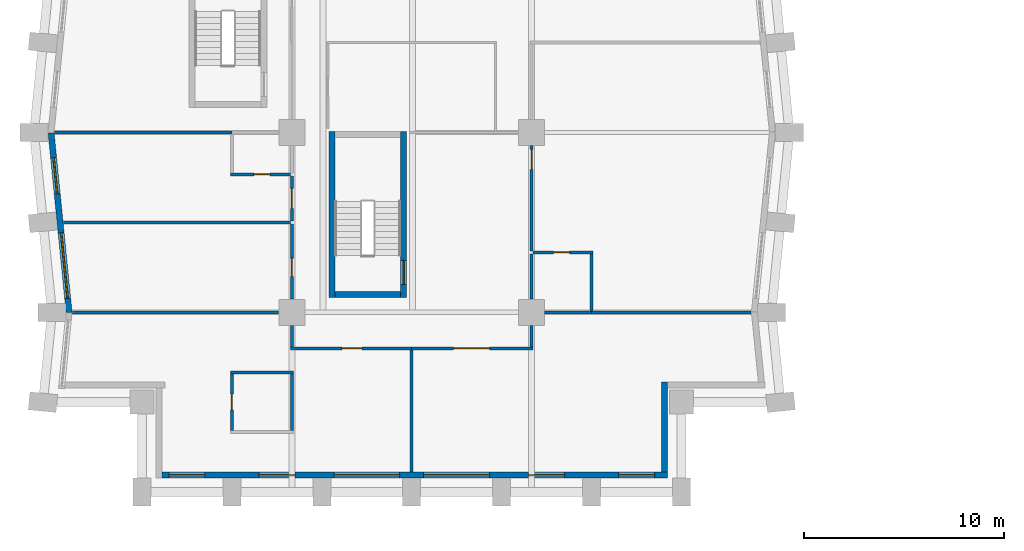
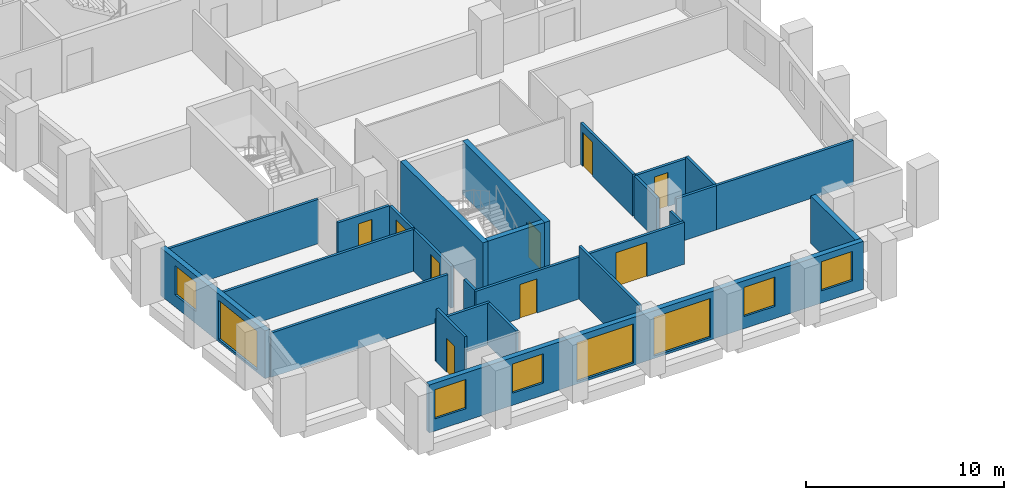
# One storey, part 3 of 13: 26 walls, 9 doors, 8 windows, 17 openings.
"""IFC4 building model written with IfcOpenShell, lengths in metres."""

from ifc_helpers import new_model, si_unit, direction, frame, frame_2d, origin, place, context, subcontext, project, spatial, rectangle, extrude, material, layer, layer_set, type_object, element, fill, save


model = new_model("IFC4")

# Units and contexts
model_context = context("Model", 3, precision=1e-05, world=origin(), true_north=direction((0.0, 1.0)))
body_context = subcontext(model_context, "Body", "Model", "MODEL_VIEW")
ifc_project = project(units=[si_unit("LENGTHUNIT", "METRE"), si_unit("AREAUNIT", "SQUARE_METRE"), si_unit("VOLUMEUNIT", "CUBIC_METRE"), si_unit("PLANEANGLEUNIT", "RADIAN"), si_unit("MASSUNIT", "GRAM", prefix="KILO")], contexts=[model_context])

# Site, building, storey
site_placement = place(None, origin())
site = spatial("IfcSite", under=ifc_project, at=site_placement, CompositionType="ELEMENT")
building_placement = place(site_placement, origin())
building = spatial("IfcBuilding", under=site, at=building_placement, Name="Brondeck Convention Tower", CompositionType="ELEMENT")
storey_placement = place(building_placement, frame((0.0, 0.0, 73.5)))
storey = spatial("IfcBuildingStorey", under=building, at=storey_placement, Name="L16", CompositionType="ELEMENT", Elevation=73.5)

# Wall, openings, windows
ifc_material_1 = material(Name="Precast concrete C50/60 bronze finish", Category="concrete")
ifc_layer_1 = layer(ifc_material_1, 0.070068359375, Name="Bronze precast facing")
ifc_material_2 = material(Name="Mineral wool")
ifc_layer_2 = layer(ifc_material_2, 0.159912109375, Name="Insulation")
ifc_material_3 = material(Name="Concrete C35/45", Category="concrete")
ifc_layer_3 = layer(ifc_material_3, 0.070068359375, Name="Backing")
ifc_layer_set_1 = layer_set([ifc_layer_1, ifc_layer_2, ifc_layer_3], Name="External infill wall, precast concrete C50/60 bronze facing")
wall_type_1 = type_object("IfcWallType", Name="External infill wall, precast concrete C50/60 bronze facing", PredefinedType="SOLIDWALL", material=ifc_layer_set_1)
wall_1_placement = place(storey_placement, frame((30.800048828125, 0.85009765625, 0.0), z_axis=(0.0, 0.0, 1.0), x_axis=(-1.0, 0.0, 0.0)))
wall_1 = element("IfcWall", 1, at=wall_1_placement, inside=storey, type_object=wall_type_1, Name="ENV-EW-L16-P0-B-S0-01", PredefinedType="SOLIDWALL", context=body_context, shape_type="SweptSolid", body=[
    extrude(rectangle(XDim=25.300048828125, YDim=0.300048828125, at=frame_2d((12.64990234375, 0.0))), origin(), (0.0, 0.0, 1.0), 2.949951171875),
])
opening_1_placement = place(wall_1_placement, frame((0.64990234375, 0.0, 0.75)))
opening_1 = element("IfcOpeningElement", 2, at=opening_1_placement, cuts=wall_1, Name="Opening W10", PredefinedType="OPENING", context=body_context, shape_type="SweptSolid", body=[
    extrude(rectangle(XDim=1.800048828125, YDim=1.800048828125, at=frame_2d((0.89990234375, 0.89990234375))), frame((0.0, 0.159912109375, 0.0), z_axis=(0.0, -1.0, 0.0), x_axis=(1.0, 0.0, 0.0)), (0.0, 0.0, 1.0), 0.320068359375),
])
opening_2_placement = place(wall_1_placement, frame((5.14990234375, 0.0, 0.75)))
opening_2 = element("IfcOpeningElement", 3, at=opening_2_placement, cuts=wall_1, Name="Opening W10", PredefinedType="OPENING", context=body_context, shape_type="SweptSolid", body=[
    extrude(rectangle(XDim=1.800048828125, YDim=1.800048828125, at=frame_2d((0.89990234375, 0.89990234375))), frame((0.0, 0.159912109375, 0.0), z_axis=(0.0, -1.0, 0.0), x_axis=(1.0, 0.0, 0.0)), (0.0, 0.0, 1.0), 0.320068359375),
])
opening_3_placement = place(wall_1_placement, frame((8.89990234375, 0.0, 0.14990234375)))
opening_3 = element("IfcOpeningElement", 4, at=opening_3_placement, cuts=wall_1, Name="Opening W9", PredefinedType="OPENING", context=body_context, shape_type="SweptSolid", body=[
    extrude(rectangle(XDim=3.300048828125, YDim=2.39990234375, at=frame_2d((1.64990234375, 1.199951171875))), frame((0.0, 0.159912109375, 0.0), z_axis=(0.0, -1.0, 0.0), x_axis=(1.0, 0.0, 0.0)), (0.0, 0.0, 1.0), 0.320068359375),
])
opening_4_placement = place(wall_1_placement, frame((13.39990234375, 0.0, 0.14990234375)))
opening_4 = element("IfcOpeningElement", 5, at=opening_4_placement, cuts=wall_1, Name="Opening W9", PredefinedType="OPENING", context=body_context, shape_type="SweptSolid", body=[
    extrude(rectangle(XDim=3.300048828125, YDim=2.39990234375, at=frame_2d((1.64990234375, 1.199951171875))), frame((0.0, 0.159912109375, 0.0), z_axis=(0.0, -1.0, 0.0), x_axis=(1.0, 0.0, 0.0)), (0.0, 0.0, 1.0), 0.320068359375),
])
opening_5_placement = place(wall_1_placement, frame((18.64990234375, 0.0, 0.75)))
opening_5 = element("IfcOpeningElement", 6, at=opening_5_placement, cuts=wall_1, Name="Opening W10", PredefinedType="OPENING", context=body_context, shape_type="SweptSolid", body=[
    extrude(rectangle(XDim=1.800048828125, YDim=1.800048828125, at=frame_2d((0.89990234375, 0.89990234375))), frame((0.0, 0.159912109375, 0.0), z_axis=(0.0, -1.0, 0.0), x_axis=(1.0, 0.0, 0.0)), (0.0, 0.0, 1.0), 0.320068359375),
])
opening_6_placement = place(wall_1_placement, frame((23.14990234375, 0.0, 0.75)))
opening_6 = element("IfcOpeningElement", 7, at=opening_6_placement, cuts=wall_1, Name="Opening W10", PredefinedType="OPENING", context=body_context, shape_type="SweptSolid", body=[
    extrude(rectangle(XDim=1.800048828125, YDim=1.800048828125, at=frame_2d((0.89990234375, 0.89990234375))), frame((0.0, 0.159912109375, 0.0), z_axis=(0.0, -1.0, 0.0), x_axis=(1.0, 0.0, 0.0)), (0.0, 0.0, 1.0), 0.320068359375),
])
ifc_material_4 = material(Name="Bronze tinted double glazing", Category="glass")
window_type_1 = type_object("IfcWindowType", Name="Glazed flute window, bronze tinted", PartitioningType="SINGLE_PANEL", PredefinedType="WINDOW", material=ifc_material_4)
window_1_placement = place(opening_3_placement, origin())
window_1 = element("IfcWindow", 8, at=window_1_placement, inside=storey, type_object=window_type_1, Name="ENV-WN-L16-P0-B-S0-04", OverallHeight=2.39990234375, OverallWidth=3.300048828125, PartitioningType="SINGLE_PANEL", PredefinedType="WINDOW", context=body_context, shape_type="SweptSolid", body=[
    extrude(rectangle(XDim=3.300048828125, YDim=2.39990234375, at=frame_2d((1.64990234375, 1.199951171875))), frame((0.0, 0.030029296875, 0.0), z_axis=(0.0, -1.0, 0.0), x_axis=(1.0, 0.0, 0.0)), (0.0, 0.0, 1.0), 0.06005859375),
])
fill(opening_3, window_1)
window_2_placement = place(opening_4_placement, origin())
window_2 = element("IfcWindow", 9, at=window_2_placement, inside=storey, type_object=window_type_1, Name="ENV-WN-L16-P0-B-S0-03", OverallHeight=2.39990234375, OverallWidth=3.300048828125, PartitioningType="SINGLE_PANEL", PredefinedType="WINDOW", context=body_context, shape_type="SweptSolid", body=[
    extrude(rectangle(XDim=3.300048828125, YDim=2.39990234375, at=frame_2d((1.64990234375, 1.199951171875))), frame((0.0, 0.030029296875, 0.0), z_axis=(0.0, -1.0, 0.0), x_axis=(1.0, 0.0, 0.0)), (0.0, 0.0, 1.0), 0.06005859375),
])
fill(opening_4, window_2)
window_type_2 = type_object("IfcWindowType", Name="Punched window, bronze tinted", PartitioningType="SINGLE_PANEL", PredefinedType="WINDOW", material=ifc_material_4)
window_3_placement = place(opening_1_placement, origin())
window_3 = element("IfcWindow", 10, at=window_3_placement, inside=storey, type_object=window_type_2, Name="ENV-WN-L16-P0-B-S0-06", OverallHeight=1.800048828125, OverallWidth=1.800048828125, PartitioningType="SINGLE_PANEL", PredefinedType="WINDOW", context=body_context, shape_type="SweptSolid", body=[
    extrude(rectangle(XDim=1.800048828125, YDim=1.800048828125, at=frame_2d((0.89990234375, 0.89990234375))), frame((0.0, 0.030029296875, 0.0), z_axis=(0.0, -1.0, 0.0), x_axis=(1.0, 0.0, 0.0)), (0.0, 0.0, 1.0), 0.06005859375),
])
fill(opening_1, window_3)
window_4_placement = place(opening_2_placement, origin())
window_4 = element("IfcWindow", 11, at=window_4_placement, inside=storey, type_object=window_type_2, Name="ENV-WN-L16-P0-B-S0-05", OverallHeight=1.800048828125, OverallWidth=1.800048828125, PartitioningType="SINGLE_PANEL", PredefinedType="WINDOW", context=body_context, shape_type="SweptSolid", body=[
    extrude(rectangle(XDim=1.800048828125, YDim=1.800048828125, at=frame_2d((0.89990234375, 0.89990234375))), frame((0.0, 0.030029296875, 0.0), z_axis=(0.0, -1.0, 0.0), x_axis=(1.0, 0.0, 0.0)), (0.0, 0.0, 1.0), 0.06005859375),
])
fill(opening_2, window_4)
window_5_placement = place(opening_5_placement, origin())
window_5 = element("IfcWindow", 12, at=window_5_placement, inside=storey, type_object=window_type_2, Name="ENV-WN-L16-P0-B-S0-02", OverallHeight=1.800048828125, OverallWidth=1.800048828125, PartitioningType="SINGLE_PANEL", PredefinedType="WINDOW", context=body_context, shape_type="SweptSolid", body=[
    extrude(rectangle(XDim=1.800048828125, YDim=1.800048828125, at=frame_2d((0.89990234375, 0.89990234375))), frame((0.0, 0.030029296875, 0.0), z_axis=(0.0, -1.0, 0.0), x_axis=(1.0, 0.0, 0.0)), (0.0, 0.0, 1.0), 0.06005859375),
])
fill(opening_5, window_5)
window_6_placement = place(opening_6_placement, origin())
window_6 = element("IfcWindow", 13, at=window_6_placement, inside=storey, type_object=window_type_2, Name="ENV-WN-L16-P0-B-S0-01", OverallHeight=1.800048828125, OverallWidth=1.800048828125, PartitioningType="SINGLE_PANEL", PredefinedType="WINDOW", context=body_context, shape_type="SweptSolid", body=[
    extrude(rectangle(XDim=1.800048828125, YDim=1.800048828125, at=frame_2d((0.89990234375, 0.89990234375))), frame((0.0, 0.030029296875, 0.0), z_axis=(0.0, -1.0, 0.0), x_axis=(1.0, 0.0, 0.0)), (0.0, 0.0, 1.0), 0.06005859375),
])
fill(opening_6, window_6)

# Wall
wall_2_placement = place(storey_placement, frame((30.64990234375, 5.5, 0.0), z_axis=(0.0, 0.0, 1.0), x_axis=(0.0, -1.0, 0.0)))
element("IfcWall", 14, at=wall_2_placement, inside=storey, type_object=wall_type_1, Name="ENV-EW-L16-P0-NC-SEB0-01", PredefinedType="SOLIDWALL", context=body_context, shape_type="SweptSolid", body=[
    extrude(rectangle(XDim=4.501953125, YDim=0.300048828125, at=frame_2d((2.2509765625, 0.0))), origin(), (0.0, 0.0, 1.0), 2.949951171875),
])

# Wall, openings, windows
wall_3_placement = place(storey_placement, frame((0.855712890625, 8.985107421875, 0.0), z_axis=(0.0, 0.0, 1.0), x_axis=(-0.099495688264, 0.995037993253, 0.0)))
wall_3 = element("IfcWall", 15, at=wall_3_placement, inside=storey, type_object=wall_type_1, Name="ENV-EW-L16-P0-B-W-10", PredefinedType="SOLIDWALL", context=body_context, shape_type="SweptSolid", body=[
    extrude(rectangle(XDim=9.030029296875, YDim=0.300048828125, at=frame_2d((4.51513671875, 0.0))), origin(), (0.0, 0.0, 1.0), 2.949951171875),
])
opening_7_placement = place(wall_3_placement, frame((0.711181640625, 0.0, 0.14990234375)))
opening_7 = element("IfcOpeningElement", 16, at=opening_7_placement, cuts=wall_3, Name="Opening W9", PredefinedType="OPENING", context=body_context, shape_type="SweptSolid", body=[
    extrude(rectangle(XDim=3.300048828125, YDim=2.39990234375, at=frame_2d((1.64990234375, 1.199951171875))), frame((0.0, 0.159912109375, 0.0), z_axis=(0.0, -1.0, 0.0), x_axis=(1.0, 0.0, 0.0)), (0.0, 0.0, 1.0), 0.320068359375),
])
opening_8_placement = place(wall_3_placement, frame((5.983642578125, 0.0, 0.75)))
opening_8 = element("IfcOpeningElement", 17, at=opening_8_placement, cuts=wall_3, Name="Opening W10", PredefinedType="OPENING", context=body_context, shape_type="SweptSolid", body=[
    extrude(rectangle(XDim=1.800048828125, YDim=1.800048828125, at=frame_2d((0.89990234375, 0.89990234375))), frame((0.0, 0.159912109375, 0.0), z_axis=(0.0, -1.0, 0.0), x_axis=(1.0, 0.0, 0.0)), (0.0, 0.0, 1.0), 0.320068359375),
])
window_7_placement = place(opening_7_placement, origin())
window_7 = element("IfcWindow", 18, at=window_7_placement, inside=storey, type_object=window_type_1, Name="ENV-WN-L16-P0-B-W-11", OverallHeight=2.39990234375, OverallWidth=3.300048828125, PartitioningType="SINGLE_PANEL", PredefinedType="WINDOW", context=body_context, shape_type="SweptSolid", body=[
    extrude(rectangle(XDim=3.300048828125, YDim=2.39990234375, at=frame_2d((1.64990234375, 1.199951171875))), frame((0.0, 0.030029296875, 0.0), z_axis=(0.0, -1.0, 0.0), x_axis=(1.0, 0.0, 0.0)), (0.0, 0.0, 1.0), 0.06005859375),
])
fill(opening_7, window_7)
window_8_placement = place(opening_8_placement, origin())
window_8 = element("IfcWindow", 19, at=window_8_placement, inside=storey, type_object=window_type_2, Name="ENV-WN-L16-P0-B-W-10", OverallHeight=1.800048828125, OverallWidth=1.800048828125, PartitioningType="SINGLE_PANEL", PredefinedType="WINDOW", context=body_context, shape_type="SweptSolid", body=[
    extrude(rectangle(XDim=1.800048828125, YDim=1.800048828125, at=frame_2d((0.89990234375, 0.89990234375))), frame((0.0, 0.030029296875, 0.0), z_axis=(0.0, -1.0, 0.0), x_axis=(1.0, 0.0, 0.0)), (0.0, 0.0, 1.0), 0.06005859375),
])
fill(opening_8, window_8)

# Wall
ifc_material_5 = material(Name="Double gypsum board acoustic wall")
ifc_layer_4 = layer(ifc_material_5, 0.14990234375)
ifc_layer_set_2 = layer_set([ifc_layer_4], Name="Guest room party wall 150")
wall_type_2 = type_object("IfcWallType", Name="Guest room party wall 150", PredefinedType="PARTITIONING", material=ifc_layer_set_2)
wall_4_placement = place(storey_placement, frame((12.0, 3.074951171875, 0.0), z_axis=(0.0, 0.0, 1.0), x_axis=(0.0, 1.0, 0.0)))
element("IfcWall", 20, at=wall_4_placement, inside=storey, type_object=wall_type_2, Name="FLR-L16-W002", PredefinedType="PARTITIONING", context=body_context, shape_type="SweptSolid", body=[
    extrude(rectangle(XDim=2.85009765625, YDim=0.14990234375, at=frame_2d((1.425048828125, 0.0))), origin(), (0.0, 0.0, 1.0), 2.580078125),
])

# Wall, opening, door
wall_5_placement = place(storey_placement, frame((9.0, 5.925048828125, 0.0), z_axis=(0.0, 0.0, 1.0), x_axis=(0.0, -1.0, 0.0)))
wall_5 = element("IfcWall", 21, at=wall_5_placement, inside=storey, type_object=wall_type_2, Name="FLR-L16-W003", PredefinedType="PARTITIONING", context=body_context, shape_type="SweptSolid", body=[
    extrude(rectangle(XDim=2.85009765625, YDim=0.14990234375, at=frame_2d((1.425048828125, 0.0))), origin(), (0.0, 0.0, 1.0), 3.280029296875),
])
opening_9_placement = place(wall_5_placement, frame((1.02490234375, 0.0, 0.0)))
opening_9 = element("IfcOpeningElement", 22, at=opening_9_placement, cuts=wall_5, Name="Opening H4-031", PredefinedType="OPENING", context=body_context, shape_type="SweptSolid", body=[
    extrude(rectangle(XDim=0.800048828125, YDim=2.10009765625, at=frame_2d((0.39990234375, 1.050048828125))), frame((0.0, 0.0849609375, 0.0), z_axis=(0.0, -1.0, 0.0), x_axis=(1.0, 0.0, 0.0)), (0.0, 0.0, 1.0), 0.169921875),
])
ifc_material_6 = material(Name="Solid timber door leaf", Category="wood")
door_type_1 = type_object("IfcDoorType", Name="En-suite door 800", OperationType="NOTDEFINED", PredefinedType="DOOR", material=ifc_material_6)
door_1_placement = place(opening_9_placement, origin())
door_1 = element("IfcDoor", 23, at=door_1_placement, inside=storey, type_object=door_type_1, Name="Door H4-031", OperationType="SINGLE_SWING_RIGHT", OverallHeight=2.10009765625, OverallWidth=0.800048828125, PredefinedType="DOOR", context=body_context, shape_type="SweptSolid", body=[
    extrude(rectangle(XDim=0.800048828125, YDim=2.10009765625, at=frame_2d((0.39990234375, 1.050048828125))), frame((0.0, 0.02490234375, 0.0), z_axis=(0.0, -1.0, 0.0), x_axis=(1.0, 0.0, 0.0)), (0.0, 0.0, 1.0), 0.050048828125),
])
fill(opening_9, door_1)

# Walls
wall_6_placement = place(storey_placement, frame((12.074951171875, 6.0, 0.0), z_axis=(0.0, 0.0, 1.0), x_axis=(-1.0, 0.0, 0.0)))
element("IfcWall", 24, at=wall_6_placement, inside=storey, type_object=wall_type_2, Name="FLR-L16-W004", PredefinedType="PARTITIONING", context=body_context, shape_type="SweptSolid", body=[
    extrude(rectangle(XDim=3.14990234375, YDim=0.14990234375, at=frame_2d((1.574951171875, 0.0))), origin(), (0.0, 0.0, 1.0), 2.580078125),
])
wall_7_placement = place(storey_placement, frame((18.0, 7.125, 0.0), z_axis=(0.0, 0.0, 1.0), x_axis=(0.0, -1.0, 0.0)))
element("IfcWall", 25, at=wall_7_placement, inside=storey, type_object=wall_type_2, Name="FLR-L16-W005", PredefinedType="PARTITIONING", context=body_context, shape_type="SweptSolid", body=[
    extrude(rectangle(XDim=6.10498046875, YDim=0.14990234375, at=frame_2d((3.052490234375, 0.0))), origin(), (0.0, 0.0, 1.0), 3.280029296875),
])

# Wall, opening, door
wall_8_placement = place(storey_placement, frame((18.0, 7.199951171875, 0.0), z_axis=(0.0, 0.0, 1.0), x_axis=(-1.0, 0.0, 0.0)))
wall_8 = element("IfcWall", 26, at=wall_8_placement, inside=storey, type_object=wall_type_2, Name="FLR-L16-W006", PredefinedType="PARTITIONING", context=body_context, shape_type="SweptSolid", body=[
    extrude(rectangle(XDim=6.074951171875, YDim=0.14990234375, at=frame_2d((3.03759765625, 0.0))), origin(), (0.0, 0.0, 1.0), 2.580078125),
])
opening_10_placement = place(wall_8_placement, frame((2.5, 0.0, 0.0)))
opening_10 = element("IfcOpeningElement", 27, at=opening_10_placement, cuts=wall_8, Name="Opening H4-030", PredefinedType="OPENING", context=body_context, shape_type="SweptSolid", body=[
    extrude(rectangle(XDim=1.0, YDim=2.10009765625, at=frame_2d((0.5, 1.050048828125))), frame((0.0, 0.0849609375, 0.0), z_axis=(0.0, -1.0, 0.0), x_axis=(1.0, 0.0, 0.0)), (0.0, 0.0, 1.0), 0.169921875),
])
ifc_material_7 = material(Name="Solid timber fire door leaf", Category="wood")
door_type_2 = type_object("IfcDoorType", Name="Guest room door 1000", OperationType="NOTDEFINED", PredefinedType="DOOR", material=ifc_material_7)
door_2_placement = place(opening_10_placement, origin())
door_2 = element("IfcDoor", 28, at=door_2_placement, inside=storey, type_object=door_type_2, Name="Door H4-030", OperationType="SINGLE_SWING_LEFT", OverallHeight=2.10009765625, OverallWidth=1.0, PredefinedType="DOOR", context=body_context, shape_type="SweptSolid", body=[
    extrude(rectangle(XDim=1.0, YDim=2.10009765625, at=frame_2d((0.5, 1.050048828125))), frame((0.0, 0.02490234375, 0.0), z_axis=(0.0, -1.0, 0.0), x_axis=(1.0, 0.0, 0.0)), (0.0, 0.0, 1.0), 0.050048828125),
])
fill(opening_10, door_2)

wall_9_placement = place(storey_placement, frame((24.074951171875, 7.199951171875, 0.0), z_axis=(0.0, 0.0, 1.0), x_axis=(-1.0, 0.0, 0.0)))
wall_9 = element("IfcWall", 29, at=wall_9_placement, inside=storey, type_object=wall_type_2, Name="FLR-L16-W007", PredefinedType="PARTITIONING", context=body_context, shape_type="SweptSolid", body=[
    extrude(rectangle(XDim=6.074951171875, YDim=0.14990234375, at=frame_2d((3.03759765625, 0.0))), origin(), (0.0, 0.0, 1.0), 2.580078125),
])
opening_11_placement = place(wall_9_placement, frame((2.175048828125, 0.0, 0.0)))
opening_11 = element("IfcOpeningElement", 30, at=opening_11_placement, cuts=wall_9, Name="Opening H4-032", PredefinedType="OPENING", context=body_context, shape_type="SweptSolid", body=[
    extrude(rectangle(XDim=1.800048828125, YDim=2.10009765625, at=frame_2d((0.89990234375, 1.050048828125))), frame((0.0, 0.0849609375, 0.0), z_axis=(0.0, -1.0, 0.0), x_axis=(1.0, 0.0, 0.0)), (0.0, 0.0, 1.0), 0.169921875),
])
ifc_material_8 = material(Name="Glazed timber double door", Category="wood")
door_type_3 = type_object("IfcDoorType", Name="Double door 1800", OperationType="DOUBLE_DOOR_SINGLE_SWING", PredefinedType="DOOR", material=ifc_material_8)
door_3_placement = place(opening_11_placement, origin())
door_3 = element("IfcDoor", 31, at=door_3_placement, inside=storey, type_object=door_type_3, Name="Door H4-032", OperationType="DOUBLE_DOOR_SINGLE_SWING", OverallHeight=2.10009765625, OverallWidth=1.800048828125, PredefinedType="DOOR", context=body_context, shape_type="SweptSolid", body=[
    extrude(rectangle(XDim=1.800048828125, YDim=2.10009765625, at=frame_2d((0.89990234375, 1.050048828125))), frame((0.0, 0.02490234375, 0.0), z_axis=(0.0, -1.0, 0.0), x_axis=(1.0, 0.0, 0.0)), (0.0, 0.0, 1.0), 0.050048828125),
])
fill(opening_11, door_3)

# Walls
for number, where, z_axis, x_axis, name in (
    (32, (12.0, 7.27490234375, 0.0), (0.0, 0.0, 1.0), (0.0, 1.0, 0.0), "FLR-L16-W008"),
    (33, (24.0, 8.344970703125, 0.0), (0.0, 0.0, 1.0), (0.0, -1.0, 0.0), "FLR-L16-W009"),
):
    element("IfcWall", number, at=place(storey_placement, frame(where, z_axis=z_axis, x_axis=x_axis)), inside=storey, type_object=wall_type_2, Name=name, PredefinedType="PARTITIONING", context=body_context, shape_type="SweptSolid", body=[
        extrude(rectangle(XDim=1.070068359375, YDim=0.14990234375, at=frame_2d((0.53515625, 0.0))), origin(), (0.0, 0.0, 1.0), 2.580078125),
    ])
wall_10_placement = place(storey_placement, frame((11.344970703125, 9.0, 0.0), z_axis=(0.0, 0.0, 1.0), x_axis=(-1.0, 0.0, 0.0)))
element("IfcWall", 34, at=wall_10_placement, inside=storey, type_object=wall_type_2, Name="FLR-L16-W010", PredefinedType="PARTITIONING", context=body_context, shape_type="SweptSolid", body=[
    extrude(rectangle(XDim=10.320068359375, YDim=0.14990234375, at=frame_2d((5.16015625, 0.0))), origin(), (0.0, 0.0, 1.0), 2.72998046875),
])
wall_11_placement = place(storey_placement, frame((27.0, 9.0, 0.0), z_axis=(0.0, 0.0, 1.0), x_axis=(-1.0, 0.0, 0.0)))
element("IfcWall", 35, at=wall_11_placement, inside=storey, type_object=wall_type_2, Name="FLR-L16-W011", PredefinedType="PARTITIONING", context=body_context, shape_type="SweptSolid", body=[
    extrude(rectangle(XDim=2.344970703125, YDim=0.14990234375, at=frame_2d((1.17236328125, 0.0))), origin(), (0.0, 0.0, 1.0), 2.72998046875),
])
wall_12_placement = place(storey_placement, frame((34.97509765625, 9.0, 0.0), z_axis=(0.0, 0.0, 1.0), x_axis=(-1.0, 0.0, 0.0)))
element("IfcWall", 36, at=wall_12_placement, inside=storey, type_object=wall_type_2, Name="FLR-L16-W012", PredefinedType="PARTITIONING", context=body_context, shape_type="SweptSolid", body=[
    extrude(rectangle(XDim=7.97509765625, YDim=0.14990234375, at=frame_2d((3.987548828125, 0.0))), origin(), (0.0, 0.0, 1.0), 2.72998046875),
])
wall_13_placement = place(storey_placement, frame((27.0, 9.074951171875, 0.0), z_axis=(0.0, 0.0, 1.0), x_axis=(0.0, 1.0, 0.0)))
element("IfcWall", 37, at=wall_13_placement, inside=storey, type_object=wall_type_2, Name="FLR-L16-W013", PredefinedType="PARTITIONING", context=body_context, shape_type="SweptSolid", body=[
    extrude(rectangle(XDim=2.85009765625, YDim=0.14990234375, at=frame_2d((1.425048828125, 0.0))), origin(), (0.0, 0.0, 1.0), 2.72998046875),
])

# Wall, opening, door
wall_14_placement = place(storey_placement, frame((12.0, 9.655029296875, 0.0), z_axis=(0.0, 0.0, 1.0), x_axis=(0.0, 1.0, 0.0)))
wall_14 = element("IfcWall", 38, at=wall_14_placement, inside=storey, type_object=wall_type_2, Name="FLR-L16-W014", PredefinedType="PARTITIONING", context=body_context, shape_type="SweptSolid", body=[
    extrude(rectangle(XDim=3.77001953125, YDim=0.14990234375, at=frame_2d((1.885009765625, 0.0))), origin(), (0.0, 0.0, 1.0), 2.580078125),
])
opening_12_placement = place(wall_14_placement, frame((1.14501953125, 0.0, 0.0)))
opening_12 = element("IfcOpeningElement", 39, at=opening_12_placement, cuts=wall_14, Name="Opening H4-026", PredefinedType="OPENING", context=body_context, shape_type="SweptSolid", body=[
    extrude(rectangle(XDim=0.89990234375, YDim=2.10009765625, at=frame_2d((0.449951171875, 1.050048828125))), frame((0.0, 0.0849609375, 0.0), z_axis=(0.0, -1.0, 0.0), x_axis=(1.0, 0.0, 0.0)), (0.0, 0.0, 1.0), 0.169921875),
])
door_type_4 = type_object("IfcDoorType", Name="Single door 900", OperationType="NOTDEFINED", PredefinedType="DOOR", material=ifc_material_6)
door_4_placement = place(opening_12_placement, origin())
door_4 = element("IfcDoor", 40, at=door_4_placement, inside=storey, type_object=door_type_4, Name="Door H4-026", OperationType="SINGLE_SWING_LEFT", OverallHeight=2.10009765625, OverallWidth=0.89990234375, PredefinedType="DOOR", context=body_context, shape_type="SweptSolid", body=[
    extrude(rectangle(XDim=0.89990234375, YDim=2.10009765625, at=frame_2d((0.449951171875, 1.050048828125))), frame((0.0, 0.02490234375, 0.0), z_axis=(0.0, -1.0, 0.0), x_axis=(1.0, 0.0, 0.0)), (0.0, 0.0, 1.0), 0.050048828125),
])
fill(opening_12, door_4)

# Wall
wall_15_placement = place(storey_placement, frame((24.0, 11.925048828125, 0.0), z_axis=(0.0, 0.0, 1.0), x_axis=(0.0, -1.0, 0.0)))
element("IfcWall", 41, at=wall_15_placement, inside=storey, type_object=wall_type_2, Name="FLR-L16-W015", PredefinedType="PARTITIONING", context=body_context, shape_type="SweptSolid", body=[
    extrude(rectangle(XDim=2.27001953125, YDim=0.14990234375, at=frame_2d((1.135009765625, 0.0))), origin(), (0.0, 0.0, 1.0), 2.580078125),
])

# Wall, opening, door
wall_16_placement = place(storey_placement, frame((27.074951171875, 12.0, 0.0), z_axis=(0.0, 0.0, 1.0), x_axis=(-1.0, 0.0, 0.0)))
wall_16 = element("IfcWall", 42, at=wall_16_placement, inside=storey, type_object=wall_type_2, Name="FLR-L16-W016", PredefinedType="PARTITIONING", context=body_context, shape_type="SweptSolid", body=[
    extrude(rectangle(XDim=3.0, YDim=0.14990234375, at=frame_2d((1.5, 0.0))), origin(), (0.0, 0.0, 1.0), 2.580078125),
])
opening_13_placement = place(wall_16_placement, frame((1.175048828125, 0.0, 0.0)))
opening_13 = element("IfcOpeningElement", 43, at=opening_13_placement, cuts=wall_16, Name="Opening H4-028", PredefinedType="OPENING", context=body_context, shape_type="SweptSolid", body=[
    extrude(rectangle(XDim=0.800048828125, YDim=2.10009765625, at=frame_2d((0.39990234375, 1.050048828125))), frame((0.0, 0.0849609375, 0.0), z_axis=(0.0, -1.0, 0.0), x_axis=(1.0, 0.0, 0.0)), (0.0, 0.0, 1.0), 0.169921875),
])
door_5_placement = place(opening_13_placement, origin())
door_5 = element("IfcDoor", 44, at=door_5_placement, inside=storey, type_object=door_type_1, Name="Door H4-028", OperationType="SINGLE_SWING_RIGHT", OverallHeight=2.10009765625, OverallWidth=0.800048828125, PredefinedType="DOOR", context=body_context, shape_type="SweptSolid", body=[
    extrude(rectangle(XDim=0.800048828125, YDim=2.10009765625, at=frame_2d((0.39990234375, 1.050048828125))), frame((0.0, 0.02490234375, 0.0), z_axis=(0.0, -1.0, 0.0), x_axis=(1.0, 0.0, 0.0)), (0.0, 0.0, 1.0), 0.050048828125),
])
fill(opening_13, door_5)

# Wall
wall_17_placement = place(storey_placement, frame((11.925048828125, 13.5, 0.0), z_axis=(0.0, 0.0, 1.0), x_axis=(-1.0, 0.0, 0.0)))
element("IfcWall", 45, at=wall_17_placement, inside=storey, type_object=wall_type_2, Name="FLR-L16-W017", PredefinedType="PARTITIONING", context=body_context, shape_type="SweptSolid", body=[
    extrude(rectangle(XDim=11.35009765625, YDim=0.14990234375, at=frame_2d((5.675048828125, 0.0))), origin(), (0.0, 0.0, 1.0), 2.580078125),
])

# Wall, opening, door
wall_18_placement = place(storey_placement, frame((12.0, 13.574951171875, 0.0), z_axis=(0.0, 0.0, 1.0), x_axis=(0.0, 1.0, 0.0)))
wall_18 = element("IfcWall", 46, at=wall_18_placement, inside=storey, type_object=wall_type_2, Name="FLR-L16-W018", PredefinedType="PARTITIONING", context=body_context, shape_type="SweptSolid", body=[
    extrude(rectangle(XDim=2.25, YDim=0.14990234375, at=frame_2d((1.125, 0.0))), origin(), (0.0, 0.0, 1.0), 2.580078125),
])
opening_14_placement = place(wall_18_placement, frame((0.625, 0.0, 0.0)))
opening_14 = element("IfcOpeningElement", 47, at=opening_14_placement, cuts=wall_18, Name="Opening H4-024", PredefinedType="OPENING", context=body_context, shape_type="SweptSolid", body=[
    extrude(rectangle(XDim=1.0, YDim=2.10009765625, at=frame_2d((0.5, 1.050048828125))), frame((0.0, 0.0849609375, 0.0), z_axis=(0.0, -1.0, 0.0), x_axis=(1.0, 0.0, 0.0)), (0.0, 0.0, 1.0), 0.169921875),
])
door_6_placement = place(opening_14_placement, origin())
door_6 = element("IfcDoor", 48, at=door_6_placement, inside=storey, type_object=door_type_2, Name="Door H4-024", OperationType="SINGLE_SWING_LEFT", OverallHeight=2.10009765625, OverallWidth=1.0, PredefinedType="DOOR", context=body_context, shape_type="SweptSolid", body=[
    extrude(rectangle(XDim=1.0, YDim=2.10009765625, at=frame_2d((0.5, 1.050048828125))), frame((0.0, 0.02490234375, 0.0), z_axis=(0.0, -1.0, 0.0), x_axis=(1.0, 0.0, 0.0)), (0.0, 0.0, 1.0), 0.050048828125),
])
fill(opening_14, door_6)

wall_19_placement = place(storey_placement, frame((8.925048828125, 15.89990234375, 0.0), z_axis=(0.0, 0.0, 1.0), x_axis=(1.0, 0.0, 0.0)))
wall_19 = element("IfcWall", 49, at=wall_19_placement, inside=storey, type_object=wall_type_2, Name="FLR-L16-W019", PredefinedType="PARTITIONING", context=body_context, shape_type="SweptSolid", body=[
    extrude(rectangle(XDim=3.0, YDim=0.14990234375, at=frame_2d((1.5, 0.0))), origin(), (0.0, 0.0, 1.0), 2.580078125),
])
opening_15_placement = place(wall_19_placement, frame((1.175048828125, 0.0, 0.0)))
opening_15 = element("IfcOpeningElement", 50, at=opening_15_placement, cuts=wall_19, Name="Opening H4-025", PredefinedType="OPENING", context=body_context, shape_type="SweptSolid", body=[
    extrude(rectangle(XDim=0.800048828125, YDim=2.10009765625, at=frame_2d((0.39990234375, 1.050048828125))), frame((0.0, 0.0849609375, 0.0), z_axis=(0.0, -1.0, 0.0), x_axis=(1.0, 0.0, 0.0)), (0.0, 0.0, 1.0), 0.169921875),
])
door_7_placement = place(opening_15_placement, origin())
door_7 = element("IfcDoor", 51, at=door_7_placement, inside=storey, type_object=door_type_1, Name="Door H4-025", OperationType="SINGLE_SWING_LEFT", OverallHeight=2.10009765625, OverallWidth=0.800048828125, PredefinedType="DOOR", context=body_context, shape_type="SweptSolid", body=[
    extrude(rectangle(XDim=0.800048828125, YDim=2.10009765625, at=frame_2d((0.39990234375, 1.050048828125))), frame((0.0, 0.02490234375, 0.0), z_axis=(0.0, -1.0, 0.0), x_axis=(1.0, 0.0, 0.0)), (0.0, 0.0, 1.0), 0.050048828125),
])
fill(opening_15, door_7)

wall_20_placement = place(storey_placement, frame((24.0, 17.344970703125, 0.0), z_axis=(0.0, 0.0, 1.0), x_axis=(0.0, -1.0, 0.0)))
wall_20 = element("IfcWall", 52, at=wall_20_placement, inside=storey, type_object=wall_type_2, Name="FLR-L16-W021", PredefinedType="PARTITIONING", context=body_context, shape_type="SweptSolid", body=[
    extrude(rectangle(XDim=5.27001953125, YDim=0.14990234375, at=frame_2d((2.635009765625, 0.0))), origin(), (0.0, 0.0, 1.0), 2.580078125),
])
opening_16_placement = place(wall_20_placement, frame((0.195068359375, 0.0, 0.0)))
opening_16 = element("IfcOpeningElement", 53, at=opening_16_placement, cuts=wall_20, Name="Opening H4-027", PredefinedType="OPENING", context=body_context, shape_type="SweptSolid", body=[
    extrude(rectangle(XDim=1.0, YDim=2.10009765625, at=frame_2d((0.5, 1.050048828125))), frame((0.0, 0.0849609375, 0.0), z_axis=(0.0, -1.0, 0.0), x_axis=(1.0, 0.0, 0.0)), (0.0, 0.0, 1.0), 0.169921875),
])
door_8_placement = place(opening_16_placement, origin())
door_8 = element("IfcDoor", 54, at=door_8_placement, inside=storey, type_object=door_type_2, Name="Door H4-027", OperationType="SINGLE_SWING_RIGHT", OverallHeight=2.10009765625, OverallWidth=1.0, PredefinedType="DOOR", context=body_context, shape_type="SweptSolid", body=[
    extrude(rectangle(XDim=1.0, YDim=2.10009765625, at=frame_2d((0.5, 1.050048828125))), frame((0.0, 0.02490234375, 0.0), z_axis=(0.0, -1.0, 0.0), x_axis=(1.0, 0.0, 0.0)), (0.0, 0.0, 1.0), 0.050048828125),
])
fill(opening_16, door_8)

# Walls
wall_21_placement = place(storey_placement, frame((9.0, 18.0, 0.0), z_axis=(0.0, 0.0, 1.0), x_axis=(-1.0, 0.0, 0.0)))
element("IfcWall", 55, at=wall_21_placement, inside=storey, type_object=wall_type_2, Name="FLR-L16-W023", PredefinedType="PARTITIONING", context=body_context, shape_type="SweptSolid", body=[
    extrude(rectangle(XDim=8.875, YDim=0.14990234375, at=frame_2d((4.4375, 0.0))), origin(), (0.0, 0.0, 1.0), 2.72998046875),
])
ifc_material_9 = material(Name="Concrete C80/95", Category="concrete")
ifc_layer_5 = layer(ifc_material_9, 0.300048828125)
ifc_layer_set_3 = layer_set([ifc_layer_5], Name="Stair enclosure wall 300 Concrete C80/95")
wall_type_3 = type_object("IfcWallType", Name="Stair enclosure wall 300 Concrete C80/95", PredefinedType="SHEAR", material=ifc_layer_set_3)
wall_22_placement = place(storey_placement, frame((14.14990234375, 9.89990234375, 0.0), z_axis=(0.0, 0.0, 1.0), x_axis=(1.0, 0.0, 0.0)))
element("IfcWall", 56, at=wall_22_placement, inside=storey, type_object=wall_type_3, Name="L16 core wall", PredefinedType="SHEAR", context=body_context, shape_type="SweptSolid", body=[
    extrude(rectangle(XDim=3.300048828125, YDim=0.300048828125, at=frame_2d((1.64990234375, 0.0))), origin(), (0.0, 0.0, 1.0), 3.300048828125),
])
wall_23_placement = place(storey_placement, frame((14.0, 9.75, 0.0), z_axis=(0.0, 0.0, 1.0), x_axis=(0.0, 1.0, 0.0)))
element("IfcWall", 57, at=wall_23_placement, inside=storey, type_object=wall_type_3, Name="L16 core wall", PredefinedType="SHEAR", context=body_context, shape_type="SweptSolid", body=[
    extrude(rectangle(XDim=8.300048828125, YDim=0.300048828125, at=frame_2d((4.14990234375, 0.0))), origin(), (0.0, 0.0, 1.0), 3.300048828125),
])

# Wall, opening, door
wall_24_placement = place(storey_placement, frame((17.60009765625, 9.75, 0.0), z_axis=(0.0, 0.0, 1.0), x_axis=(0.0, 1.0, 0.0)))
wall_24 = element("IfcWall", 58, at=wall_24_placement, inside=storey, type_object=wall_type_3, Name="L16 core wall", PredefinedType="SHEAR", context=body_context, shape_type="SweptSolid", body=[
    extrude(rectangle(XDim=8.300048828125, YDim=0.300048828125, at=frame_2d((4.14990234375, 0.0))), origin(), (0.0, 0.0, 1.0), 3.300048828125),
])
opening_17_placement = place(wall_24_placement, frame((0.64990234375, 0.0, 0.0)))
opening_17 = element("IfcOpeningElement", 59, at=opening_17_placement, cuts=wall_24, Name="Opening C11-22", PredefinedType="OPENING", context=body_context, shape_type="SweptSolid", body=[
    extrude(rectangle(XDim=1.199951171875, YDim=2.199951171875, at=frame_2d((0.60009765625, 1.10009765625))), frame((0.0, 0.159912109375, 0.0), z_axis=(0.0, -1.0, 0.0), x_axis=(1.0, 0.0, 0.0)), (0.0, 0.0, 1.0), 0.320068359375),
])
ifc_material_10 = material(Name="Steel fire door", Category="steel")
door_type_5 = type_object("IfcDoorType", Name="Stair door 1200x2200 EI 90", OperationType="NOTDEFINED", PredefinedType="DOOR", material=ifc_material_10)
door_9_placement = place(opening_17_placement, origin())
door_9 = element("IfcDoor", 60, at=door_9_placement, inside=storey, type_object=door_type_5, Name="L16 Stair door ST-BF", OperationType="SINGLE_SWING_LEFT", OverallHeight=2.199951171875, OverallWidth=1.199951171875, PredefinedType="DOOR", context=body_context, shape_type="SweptSolid", body=[
    extrude(rectangle(XDim=1.199951171875, YDim=2.199951171875, at=frame_2d((0.60009765625, 1.10009765625))), frame((0.0, 0.02490234375, 0.0), z_axis=(0.0, -1.0, 0.0), x_axis=(1.0, 0.0, 0.0)), (0.0, 0.0, 1.0), 0.050048828125),
])
fill(opening_17, door_9)

save(model, "model.ifc")
